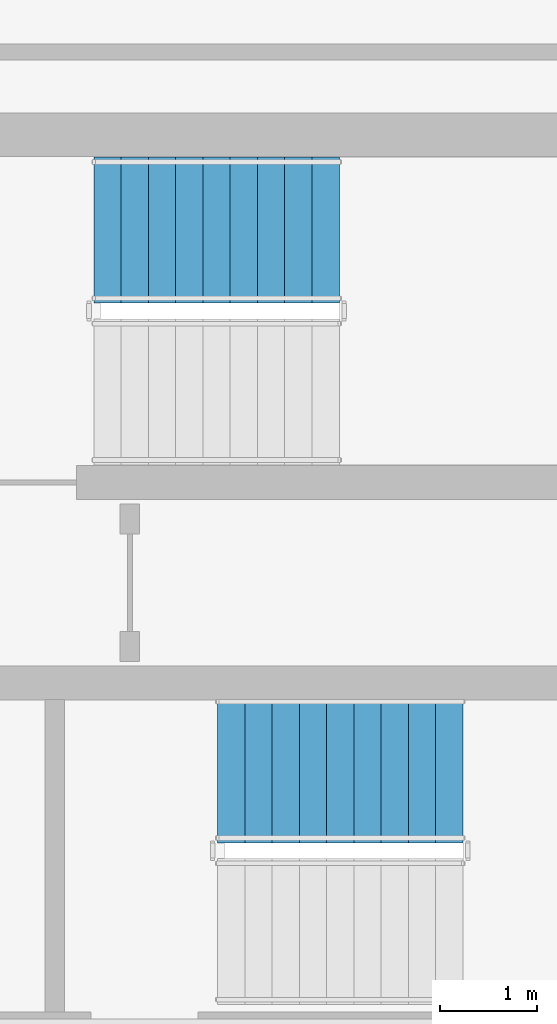
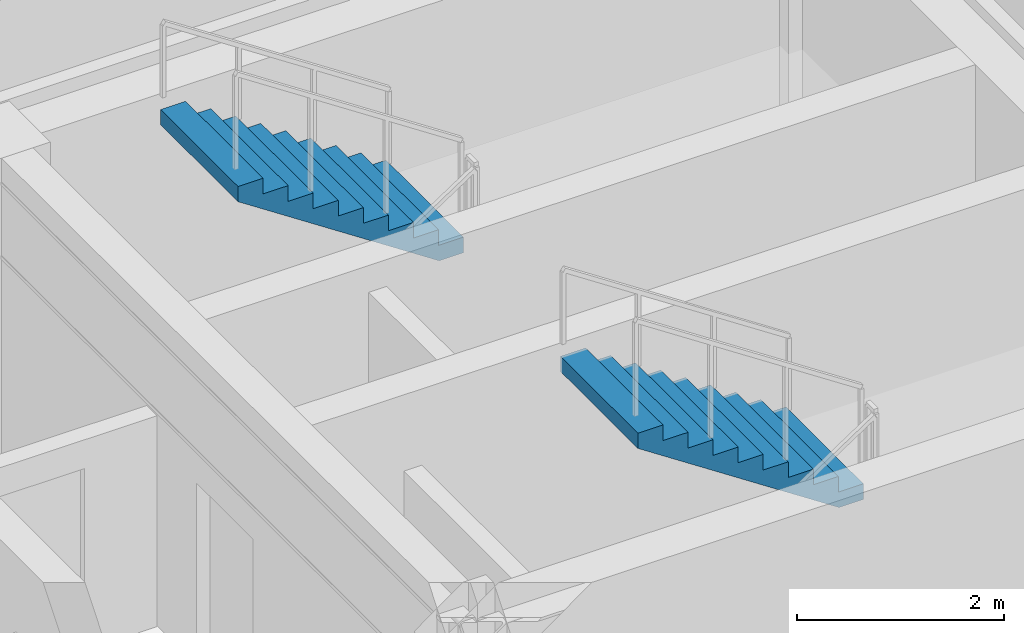
# One storey, part 11 of 14: 2 stair flights, 2 elements without a shape of their own.
"""IFC4 building model written with IfcOpenShell, lengths in metres."""

from ifc_helpers import new_model, si_unit, direction, frame, origin, place, context, subcontext, project, spatial, polyline, outline, extrude, material, layer, layer_set, type_object, element, aggregate, save


model = new_model("IFC4")

# Units and contexts
model_context = context("Model", 3, precision=1e-05, world=origin(), true_north=direction((0.0, 1.0)))
body_context = subcontext(model_context, "Body", "Model", "MODEL_VIEW")
ifc_project = project(units=[si_unit("LENGTHUNIT", "METRE"), si_unit("AREAUNIT", "SQUARE_METRE"), si_unit("VOLUMEUNIT", "CUBIC_METRE"), si_unit("PLANEANGLEUNIT", "RADIAN"), si_unit("MASSUNIT", "GRAM", prefix="KILO")], contexts=[model_context])

# Site, building, storey
site_placement = place(None, origin())
site = spatial("IfcSite", under=ifc_project, at=site_placement, CompositionType="ELEMENT")
building_placement = place(site_placement, origin())
building = spatial("IfcBuilding", under=site, at=building_placement, Name="Zarnavel Station Tower", CompositionType="ELEMENT")
storey_placement = place(building_placement, frame((0.0, 0.0, 258.39990234375)))
storey = spatial("IfcBuildingStorey", under=building, at=storey_placement, Name="L70", CompositionType="ELEMENT", Elevation=258.39990234375)

# Stair, stair flight
ifc_material_1 = material(Name="Concrete C45/55", Category="concrete")
stair_type = type_object("IfcStairType", Name="ST_CORE_150", PredefinedType="HALF_TURN_STAIR", material=ifc_material_1)
stair_1_placement = place(storey_placement, origin())
stair_1 = element("IfcStair", 1, at=stair_1_placement, inside=storey, type_object=stair_type, Name="L70 Core Exit Stair ST2", PredefinedType="HALF_TURN_STAIR")
ifc_material_2 = material(Name="Concrete C45/55", Category="concrete")
ifc_layer = layer(ifc_material_2, 0.179931640625)
ifc_layer_set = layer_set([ifc_layer], Name="ST_CORE_150_FLT")
stair_flight_type = type_object("IfcStairFlightType", Name="ST_CORE_150_FLT", PredefinedType="STRAIGHT", material=ifc_layer_set)
stair_flight_1_placement = place(storey_placement, frame((40.60009765625, 36.070068359375, 1.85009765625), z_axis=(0.0, 0.0, 1.0), x_axis=(-1.0, 0.0, 0.0)))
stair_flight_1 = element("IfcStairFlight", 2, at=stair_flight_1_placement, type_object=stair_flight_type, Name="ST2 flight 2", NumberOfRisers=10, NumberOfTreads=9, PredefinedType="STRAIGHT", RiserHeight=0.185, TreadLength=0.28, context=body_context, shape_type="SweptSolid", body=[
    extrude(outline(polyline([(0.0, 0.0), (0.0, 0.18505859375), (0.280029296875, 0.18505859375), (0.280029296875, 0.3701171875), (0.56005859375, 0.3701171875), (0.56005859375, 0.554931640625), (0.840087890625, 0.554931640625), (0.840087890625, 0.739990234375), (1.1201171875, 0.739990234375), (1.1201171875, 0.925048828125), (1.39990234375, 0.925048828125), (1.39990234375, 1.110107421875), (1.679931640625, 1.110107421875), (1.679931640625, 1.294921875), (1.9599609375, 1.294921875), (1.9599609375, 1.47998046875), (2.239990234375, 1.47998046875), (2.239990234375, 1.6650390625), (2.52001953125, 1.6650390625), (2.52001953125, 1.85009765625), (2.52001953125, 1.4853515625), (0.27197265625, 0.0), (0.0, 0.0)])), frame((0.0, 0.75, 0.0), z_axis=(0.0, -1.0, 0.0), x_axis=(1.0, 0.0, 0.0)), (0.0, 0.0, 1.0), 1.5),
])
aggregate(stair_1, [stair_flight_1])

stair_2_placement = place(storey_placement, origin())
stair_2 = element("IfcStair", 3, at=stair_2_placement, inside=storey, type_object=stair_type, Name="L70 Core Exit Stair ST3", PredefinedType="HALF_TURN_STAIR")
stair_flight_2_placement = place(storey_placement, frame((41.8701171875, 30.530029296875, 1.85009765625), z_axis=(0.0, 0.0, 1.0), x_axis=(-1.0, 0.0, 0.0)))
stair_flight_2 = element("IfcStairFlight", 4, at=stair_flight_2_placement, type_object=stair_flight_type, Name="ST3 flight 2", NumberOfRisers=10, NumberOfTreads=9, PredefinedType="STRAIGHT", RiserHeight=0.185, TreadLength=0.28, context=body_context, shape_type="SweptSolid", body=[
    extrude(outline(polyline([(0.0, 0.0), (0.0, 0.18505859375), (0.280029296875, 0.18505859375), (0.280029296875, 0.3701171875), (0.56005859375, 0.3701171875), (0.56005859375, 0.554931640625), (0.840087890625, 0.554931640625), (0.840087890625, 0.739990234375), (1.1201171875, 0.739990234375), (1.1201171875, 0.925048828125), (1.39990234375, 0.925048828125), (1.39990234375, 1.110107421875), (1.679931640625, 1.110107421875), (1.679931640625, 1.294921875), (1.9599609375, 1.294921875), (1.9599609375, 1.47998046875), (2.239990234375, 1.47998046875), (2.239990234375, 1.6650390625), (2.52001953125, 1.6650390625), (2.52001953125, 1.85009765625), (2.52001953125, 1.4853515625), (0.27197265625, 0.0), (0.0, 0.0)])), frame((0.0, 0.75, 0.0), z_axis=(0.0, -1.0, 0.0), x_axis=(1.0, 0.0, 0.0)), (0.0, 0.0, 1.0), 1.5),
])
aggregate(stair_2, [stair_flight_2])

save(model, "model.ifc")
